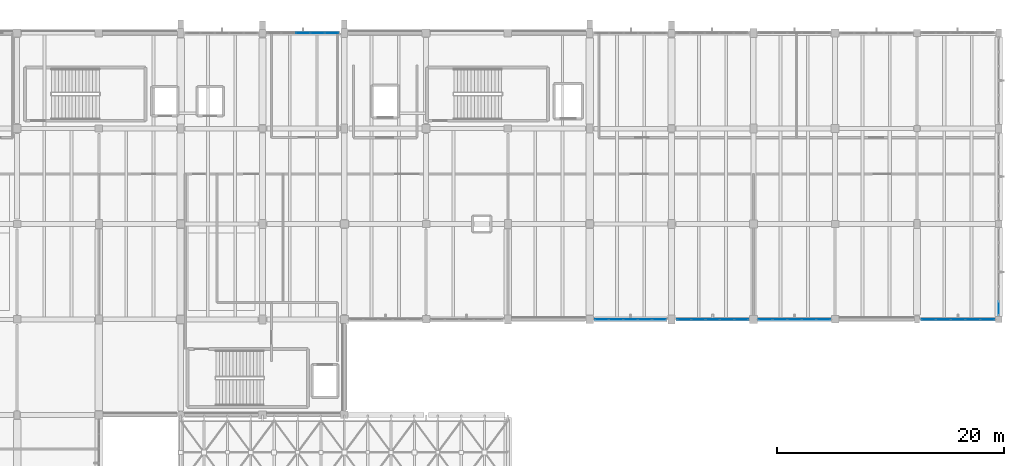
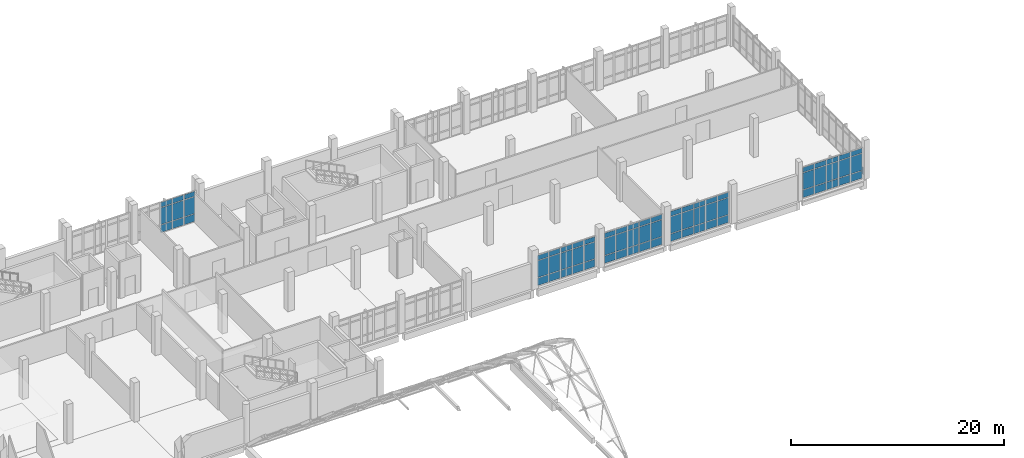
# One storey, part 66 of 87: 70 plates, 6 elements without a shape of their own.
"""IFC4 building model written with IfcOpenShell, lengths in metres."""

from ifc_helpers import new_model, si_unit, direction, frame, origin, origin_2d, place, context, subcontext, project, spatial, rectangle, extrude, material, layer, layer_set, type_object, element, aggregate, save


model = new_model("IFC4")

# Units and contexts
model_context = context("Model", 3, precision=1e-05, world=origin(), true_north=direction((0.0, 1.0)))
body_context = subcontext(model_context, "Body", "Model", "MODEL_VIEW")
ifc_project = project(units=[si_unit("LENGTHUNIT", "METRE"), si_unit("AREAUNIT", "SQUARE_METRE"), si_unit("VOLUMEUNIT", "CUBIC_METRE"), si_unit("PLANEANGLEUNIT", "RADIAN"), si_unit("MASSUNIT", "GRAM", prefix="KILO")], contexts=[model_context])

# Site, building, storey
site_placement = place(None, origin())
site = spatial("IfcSite", under=ifc_project, at=site_placement, CompositionType="ELEMENT")
building_placement = place(site_placement, origin())
building = spatial("IfcBuilding", under=site, at=building_placement, Name="Kalluvel Institute of Natural Sciences", CompositionType="ELEMENT")
storey_placement = place(building_placement, frame((0.0, 0.0, 18.89990234375)))
storey = spatial("IfcBuildingStorey", under=building, at=storey_placement, Name="L04", CompositionType="ELEMENT", Elevation=18.89990234375)

# Curtain wall, plates
ifc_material_1 = material(Name="Aluminium AW-6063 T6", Category="aluminium")
curtain_wall_type = type_object("IfcCurtainWallType", Name="CW-WET-45", PredefinedType="USERDEFINED", material=ifc_material_1)
curtain_wall_1_placement = place(storey_placement, origin())
curtain_wall_1 = element("IfcCurtainWall", 1, at=curtain_wall_1_placement, inside=storey, type_object=curtain_wall_type, Name="L04 Gothic lancet curtain wall CWA-L04-X504-Y1280", ObjectType="UNITISED LANCET FACADE", PredefinedType="USERDEFINED")
ifc_material_2 = material(Name="Solar-Control Low-E Laminated Glass", Category="glass")
ifc_layer = layer(ifc_material_2, 0.031982421875)
ifc_layer_set = layer_set([ifc_layer], Name="Solar-Control Low-E Laminated Glass")
plate_type = type_object("IfcPlateType", Name="CWP-DGU-32", PredefinedType="CURTAIN_PANEL", material=ifc_layer_set)
plate_1_placement = place(storey_placement, frame((53.5625, 128.0, 0.065185546875), z_axis=(0.0, 0.0, 1.0), x_axis=(1.0, 0.0, 0.0)))
plate_1 = element("IfcPlate", 2, at=plate_1_placement, type_object=plate_type, Name="CW-01 panel 3.1", PredefinedType="CURTAIN_PANEL", context=body_context, shape_type="SweptSolid", body=[
    extrude(rectangle(XDim=1.2099609375, YDim=0.031982421875, at=origin_2d()), origin(), (0.0, 0.0, 1.0), 0.8525390625),
])
plate_2_placement = place(storey_placement, frame((53.5625, 128.0, 0.982666015625), z_axis=(0.0, 0.0, 1.0), x_axis=(1.0, 0.0, 0.0)))
plate_2 = element("IfcPlate", 3, at=plate_2_placement, type_object=plate_type, Name="CW-01 panel 3.2", PredefinedType="CURTAIN_PANEL", context=body_context, shape_type="SweptSolid", body=[
    extrude(rectangle(XDim=1.2099609375, YDim=0.031982421875, at=origin_2d()), origin(), (0.0, 0.0, 1.0), 1.9150390625),
])
plate_3_placement = place(storey_placement, frame((53.5625, 128.0, 2.96240234375), z_axis=(0.0, 0.0, 1.0), x_axis=(1.0, 0.0, 0.0)))
plate_3 = element("IfcPlate", 4, at=plate_3_placement, type_object=plate_type, Name="CW-01 panel 3.3", PredefinedType="CURTAIN_PANEL", context=body_context, shape_type="SweptSolid", body=[
    extrude(rectangle(XDim=1.2099609375, YDim=0.031982421875, at=origin_2d()), origin(), (0.0, 0.0, 1.0), 0.552490234375),
])
plate_4_placement = place(storey_placement, frame((54.83740234375, 128.0, 0.065185546875), z_axis=(0.0, 0.0, 1.0), x_axis=(1.0, 0.0, 0.0)))
plate_4 = element("IfcPlate", 5, at=plate_4_placement, type_object=plate_type, Name="CW-01 panel 4.1", PredefinedType="CURTAIN_PANEL", context=body_context, shape_type="SweptSolid", body=[
    extrude(rectangle(XDim=1.2099609375, YDim=0.031982421875, at=origin_2d()), origin(), (0.0, 0.0, 1.0), 0.8525390625),
])
plate_5_placement = place(storey_placement, frame((54.83740234375, 128.0, 0.982666015625), z_axis=(0.0, 0.0, 1.0), x_axis=(1.0, 0.0, 0.0)))
plate_5 = element("IfcPlate", 6, at=plate_5_placement, type_object=plate_type, Name="CW-01 panel 4.2", PredefinedType="CURTAIN_PANEL", context=body_context, shape_type="SweptSolid", body=[
    extrude(rectangle(XDim=1.2099609375, YDim=0.031982421875, at=origin_2d()), origin(), (0.0, 0.0, 1.0), 1.9150390625),
])
plate_6_placement = place(storey_placement, frame((54.83740234375, 128.0, 2.96240234375), z_axis=(0.0, 0.0, 1.0), x_axis=(1.0, 0.0, 0.0)))
plate_6 = element("IfcPlate", 7, at=plate_6_placement, type_object=plate_type, Name="CW-01 panel 4.3", PredefinedType="CURTAIN_PANEL", context=body_context, shape_type="SweptSolid", body=[
    extrude(rectangle(XDim=1.2099609375, YDim=0.031982421875, at=origin_2d()), origin(), (0.0, 0.0, 1.0), 0.552490234375),
])
plate_7_placement = place(storey_placement, frame((56.09619140625, 128.0, 0.065185546875), z_axis=(0.0, 0.0, 1.0), x_axis=(1.0, 0.0, 0.0)))
plate_7 = element("IfcPlate", 8, at=plate_7_placement, type_object=plate_type, Name="CW-01 panel 5.1", PredefinedType="CURTAIN_PANEL", context=body_context, shape_type="SweptSolid", body=[
    extrude(rectangle(XDim=1.177490234375, YDim=0.031982421875, at=origin_2d()), origin(), (0.0, 0.0, 1.0), 0.8525390625),
])
plate_8_placement = place(storey_placement, frame((56.09619140625, 128.0, 0.982666015625), z_axis=(0.0, 0.0, 1.0), x_axis=(1.0, 0.0, 0.0)))
plate_8 = element("IfcPlate", 9, at=plate_8_placement, type_object=plate_type, Name="CW-01 panel 5.2", PredefinedType="CURTAIN_PANEL", context=body_context, shape_type="SweptSolid", body=[
    extrude(rectangle(XDim=1.177490234375, YDim=0.031982421875, at=origin_2d()), origin(), (0.0, 0.0, 1.0), 1.9150390625),
])
plate_9_placement = place(storey_placement, frame((56.09619140625, 128.0, 2.96240234375), z_axis=(0.0, 0.0, 1.0), x_axis=(1.0, 0.0, 0.0)))
plate_9 = element("IfcPlate", 10, at=plate_9_placement, type_object=plate_type, Name="CW-01 panel 5.3", PredefinedType="CURTAIN_PANEL", context=body_context, shape_type="SweptSolid", body=[
    extrude(rectangle(XDim=1.177490234375, YDim=0.031982421875, at=origin_2d()), origin(), (0.0, 0.0, 1.0), 0.552490234375),
])
aggregate(curtain_wall_1, [plate_1, plate_2, plate_3, plate_4, plate_5, plate_6, plate_7, plate_8, plate_9])

curtain_wall_2_placement = place(storey_placement, origin())
curtain_wall_2 = element("IfcCurtainWall", 11, at=curtain_wall_2_placement, inside=storey, type_object=curtain_wall_type, Name="L04 Gothic lancet curtain wall CWA-L04-X792-Y1028", ObjectType="UNITISED LANCET FACADE", PredefinedType="USERDEFINED")
plate_10_placement = place(storey_placement, frame((79.851318359375, 102.800048828125, 0.065185546875), z_axis=(0.0, 0.0, 1.0), x_axis=(1.0, 0.0, 0.0)))
plate_10 = element("IfcPlate", 12, at=plate_10_placement, type_object=plate_type, Name="CW-01 panel 1.1", PredefinedType="CURTAIN_PANEL", context=body_context, shape_type="SweptSolid", body=[
    extrude(rectangle(XDim=1.172607421875, YDim=0.031982421875, at=origin_2d()), origin(), (0.0, 0.0, 1.0), 0.8525390625),
])
plate_11_placement = place(storey_placement, frame((79.851318359375, 102.800048828125, 0.982666015625), z_axis=(0.0, 0.0, 1.0), x_axis=(1.0, 0.0, 0.0)))
plate_11 = element("IfcPlate", 13, at=plate_11_placement, type_object=plate_type, Name="CW-01 panel 1.2", PredefinedType="CURTAIN_PANEL", context=body_context, shape_type="SweptSolid", body=[
    extrude(rectangle(XDim=1.172607421875, YDim=0.031982421875, at=origin_2d()), origin(), (0.0, 0.0, 1.0), 1.9150390625),
])
plate_12_placement = place(storey_placement, frame((79.851318359375, 102.800048828125, 2.96240234375), z_axis=(0.0, 0.0, 1.0), x_axis=(1.0, 0.0, 0.0)))
plate_12 = element("IfcPlate", 14, at=plate_12_placement, type_object=plate_type, Name="CW-01 panel 1.3", PredefinedType="CURTAIN_PANEL", context=body_context, shape_type="SweptSolid", body=[
    extrude(rectangle(XDim=1.172607421875, YDim=0.031982421875, at=origin_2d()), origin(), (0.0, 0.0, 1.0), 0.552490234375),
])
plate_13_placement = place(storey_placement, frame((81.10498046875, 102.800048828125, 0.065185546875), z_axis=(0.0, 0.0, 1.0), x_axis=(1.0, 0.0, 0.0)))
plate_13 = element("IfcPlate", 15, at=plate_13_placement, type_object=plate_type, Name="CW-01 panel 2.1", PredefinedType="CURTAIN_PANEL", context=body_context, shape_type="SweptSolid", body=[
    extrude(rectangle(XDim=1.205078125, YDim=0.031982421875, at=origin_2d()), origin(), (0.0, 0.0, 1.0), 0.8525390625),
])
plate_14_placement = place(storey_placement, frame((81.10498046875, 102.800048828125, 0.982666015625), z_axis=(0.0, 0.0, 1.0), x_axis=(1.0, 0.0, 0.0)))
plate_14 = element("IfcPlate", 16, at=plate_14_placement, type_object=plate_type, Name="CW-01 panel 2.2", PredefinedType="CURTAIN_PANEL", context=body_context, shape_type="SweptSolid", body=[
    extrude(rectangle(XDim=1.205078125, YDim=0.031982421875, at=origin_2d()), origin(), (0.0, 0.0, 1.0), 1.9150390625),
])
plate_15_placement = place(storey_placement, frame((81.10498046875, 102.800048828125, 2.96240234375), z_axis=(0.0, 0.0, 1.0), x_axis=(1.0, 0.0, 0.0)))
plate_15 = element("IfcPlate", 17, at=plate_15_placement, type_object=plate_type, Name="CW-01 panel 2.3", PredefinedType="CURTAIN_PANEL", context=body_context, shape_type="SweptSolid", body=[
    extrude(rectangle(XDim=1.205078125, YDim=0.031982421875, at=origin_2d()), origin(), (0.0, 0.0, 1.0), 0.552490234375),
])
plate_16_placement = place(storey_placement, frame((82.375, 102.800048828125, 0.065185546875), z_axis=(0.0, 0.0, 1.0), x_axis=(1.0, 0.0, 0.0)))
plate_16 = element("IfcPlate", 18, at=plate_16_placement, type_object=plate_type, Name="CW-01 panel 3.1", PredefinedType="CURTAIN_PANEL", context=body_context, shape_type="SweptSolid", body=[
    extrude(rectangle(XDim=1.205078125, YDim=0.031982421875, at=origin_2d()), origin(), (0.0, 0.0, 1.0), 0.8525390625),
])
plate_17_placement = place(storey_placement, frame((82.375, 102.800048828125, 0.982666015625), z_axis=(0.0, 0.0, 1.0), x_axis=(1.0, 0.0, 0.0)))
plate_17 = element("IfcPlate", 19, at=plate_17_placement, type_object=plate_type, Name="CW-01 panel 3.2", PredefinedType="CURTAIN_PANEL", context=body_context, shape_type="SweptSolid", body=[
    extrude(rectangle(XDim=1.205078125, YDim=0.031982421875, at=origin_2d()), origin(), (0.0, 0.0, 1.0), 1.9150390625),
])
plate_18_placement = place(storey_placement, frame((82.375, 102.800048828125, 2.96240234375), z_axis=(0.0, 0.0, 1.0), x_axis=(1.0, 0.0, 0.0)))
plate_18 = element("IfcPlate", 20, at=plate_18_placement, type_object=plate_type, Name="CW-01 panel 3.3", PredefinedType="CURTAIN_PANEL", context=body_context, shape_type="SweptSolid", body=[
    extrude(rectangle(XDim=1.205078125, YDim=0.031982421875, at=origin_2d()), origin(), (0.0, 0.0, 1.0), 0.552490234375),
])
plate_19_placement = place(storey_placement, frame((83.64501953125, 102.800048828125, 0.065185546875), z_axis=(0.0, 0.0, 1.0), x_axis=(1.0, 0.0, 0.0)))
plate_19 = element("IfcPlate", 21, at=plate_19_placement, type_object=plate_type, Name="CW-01 panel 4.1", PredefinedType="CURTAIN_PANEL", context=body_context, shape_type="SweptSolid", body=[
    extrude(rectangle(XDim=1.205078125, YDim=0.031982421875, at=origin_2d()), origin(), (0.0, 0.0, 1.0), 0.8525390625),
])
plate_20_placement = place(storey_placement, frame((83.64501953125, 102.800048828125, 0.982666015625), z_axis=(0.0, 0.0, 1.0), x_axis=(1.0, 0.0, 0.0)))
plate_20 = element("IfcPlate", 22, at=plate_20_placement, type_object=plate_type, Name="CW-01 panel 4.2", PredefinedType="CURTAIN_PANEL", context=body_context, shape_type="SweptSolid", body=[
    extrude(rectangle(XDim=1.205078125, YDim=0.031982421875, at=origin_2d()), origin(), (0.0, 0.0, 1.0), 1.9150390625),
])
plate_21_placement = place(storey_placement, frame((83.64501953125, 102.800048828125, 2.96240234375), z_axis=(0.0, 0.0, 1.0), x_axis=(1.0, 0.0, 0.0)))
plate_21 = element("IfcPlate", 23, at=plate_21_placement, type_object=plate_type, Name="CW-01 panel 4.3", PredefinedType="CURTAIN_PANEL", context=body_context, shape_type="SweptSolid", body=[
    extrude(rectangle(XDim=1.205078125, YDim=0.031982421875, at=origin_2d()), origin(), (0.0, 0.0, 1.0), 0.552490234375),
])
plate_22_placement = place(storey_placement, frame((84.898681640625, 102.800048828125, 0.065185546875), z_axis=(0.0, 0.0, 1.0), x_axis=(1.0, 0.0, 0.0)))
plate_22 = element("IfcPlate", 24, at=plate_22_placement, type_object=plate_type, Name="CW-01 panel 5.1", PredefinedType="CURTAIN_PANEL", context=body_context, shape_type="SweptSolid", body=[
    extrude(rectangle(XDim=1.172607421875, YDim=0.031982421875, at=origin_2d()), origin(), (0.0, 0.0, 1.0), 0.8525390625),
])
plate_23_placement = place(storey_placement, frame((84.898681640625, 102.800048828125, 0.982666015625), z_axis=(0.0, 0.0, 1.0), x_axis=(1.0, 0.0, 0.0)))
plate_23 = element("IfcPlate", 25, at=plate_23_placement, type_object=plate_type, Name="CW-01 panel 5.2", PredefinedType="CURTAIN_PANEL", context=body_context, shape_type="SweptSolid", body=[
    extrude(rectangle(XDim=1.172607421875, YDim=0.031982421875, at=origin_2d()), origin(), (0.0, 0.0, 1.0), 1.9150390625),
])
plate_24_placement = place(storey_placement, frame((84.898681640625, 102.800048828125, 2.96240234375), z_axis=(0.0, 0.0, 1.0), x_axis=(1.0, 0.0, 0.0)))
plate_24 = element("IfcPlate", 26, at=plate_24_placement, type_object=plate_type, Name="CW-01 panel 5.3", PredefinedType="CURTAIN_PANEL", context=body_context, shape_type="SweptSolid", body=[
    extrude(rectangle(XDim=1.172607421875, YDim=0.031982421875, at=origin_2d()), origin(), (0.0, 0.0, 1.0), 0.552490234375),
])
aggregate(curtain_wall_2, [plate_10, plate_11, plate_12, plate_13, plate_14, plate_15, plate_16, plate_17, plate_18, plate_19, plate_20, plate_21, plate_22, plate_23, plate_24])

curtain_wall_3_placement = place(storey_placement, origin())
curtain_wall_3 = element("IfcCurtainWall", 27, at=curtain_wall_3_placement, inside=storey, type_object=curtain_wall_type, Name="L04 Gothic lancet curtain wall CWA-L04-X864-Y1028", ObjectType="UNITISED LANCET FACADE", PredefinedType="USERDEFINED")
plate_25_placement = place(storey_placement, frame((87.101318359375, 102.800048828125, 0.065185546875), z_axis=(0.0, 0.0, 1.0), x_axis=(1.0, 0.0, 0.0)))
plate_25 = element("IfcPlate", 28, at=plate_25_placement, type_object=plate_type, Name="CW-01 panel 1.1", PredefinedType="CURTAIN_PANEL", context=body_context, shape_type="SweptSolid", body=[
    extrude(rectangle(XDim=1.172607421875, YDim=0.031982421875, at=origin_2d()), origin(), (0.0, 0.0, 1.0), 0.8525390625),
])
plate_26_placement = place(storey_placement, frame((87.101318359375, 102.800048828125, 0.982666015625), z_axis=(0.0, 0.0, 1.0), x_axis=(1.0, 0.0, 0.0)))
plate_26 = element("IfcPlate", 29, at=plate_26_placement, type_object=plate_type, Name="CW-01 panel 1.2", PredefinedType="CURTAIN_PANEL", context=body_context, shape_type="SweptSolid", body=[
    extrude(rectangle(XDim=1.172607421875, YDim=0.031982421875, at=origin_2d()), origin(), (0.0, 0.0, 1.0), 1.9150390625),
])
plate_27_placement = place(storey_placement, frame((87.101318359375, 102.800048828125, 2.96240234375), z_axis=(0.0, 0.0, 1.0), x_axis=(1.0, 0.0, 0.0)))
plate_27 = element("IfcPlate", 30, at=plate_27_placement, type_object=plate_type, Name="CW-01 panel 1.3", PredefinedType="CURTAIN_PANEL", context=body_context, shape_type="SweptSolid", body=[
    extrude(rectangle(XDim=1.172607421875, YDim=0.031982421875, at=origin_2d()), origin(), (0.0, 0.0, 1.0), 0.552490234375),
])
plate_28_placement = place(storey_placement, frame((88.35498046875, 102.800048828125, 0.065185546875), z_axis=(0.0, 0.0, 1.0), x_axis=(1.0, 0.0, 0.0)))
plate_28 = element("IfcPlate", 31, at=plate_28_placement, type_object=plate_type, Name="CW-01 panel 2.1", PredefinedType="CURTAIN_PANEL", context=body_context, shape_type="SweptSolid", body=[
    extrude(rectangle(XDim=1.205078125, YDim=0.031982421875, at=origin_2d()), origin(), (0.0, 0.0, 1.0), 0.8525390625),
])
plate_29_placement = place(storey_placement, frame((88.35498046875, 102.800048828125, 0.982666015625), z_axis=(0.0, 0.0, 1.0), x_axis=(1.0, 0.0, 0.0)))
plate_29 = element("IfcPlate", 32, at=plate_29_placement, type_object=plate_type, Name="CW-01 panel 2.2", PredefinedType="CURTAIN_PANEL", context=body_context, shape_type="SweptSolid", body=[
    extrude(rectangle(XDim=1.205078125, YDim=0.031982421875, at=origin_2d()), origin(), (0.0, 0.0, 1.0), 1.9150390625),
])
plate_30_placement = place(storey_placement, frame((88.35498046875, 102.800048828125, 2.96240234375), z_axis=(0.0, 0.0, 1.0), x_axis=(1.0, 0.0, 0.0)))
plate_30 = element("IfcPlate", 33, at=plate_30_placement, type_object=plate_type, Name="CW-01 panel 2.3", PredefinedType="CURTAIN_PANEL", context=body_context, shape_type="SweptSolid", body=[
    extrude(rectangle(XDim=1.205078125, YDim=0.031982421875, at=origin_2d()), origin(), (0.0, 0.0, 1.0), 0.552490234375),
])
plate_31_placement = place(storey_placement, frame((89.625, 102.800048828125, 0.065185546875), z_axis=(0.0, 0.0, 1.0), x_axis=(1.0, 0.0, 0.0)))
plate_31 = element("IfcPlate", 34, at=plate_31_placement, type_object=plate_type, Name="CW-01 panel 3.1", PredefinedType="CURTAIN_PANEL", context=body_context, shape_type="SweptSolid", body=[
    extrude(rectangle(XDim=1.205078125, YDim=0.031982421875, at=origin_2d()), origin(), (0.0, 0.0, 1.0), 0.8525390625),
])
plate_32_placement = place(storey_placement, frame((89.625, 102.800048828125, 0.982666015625), z_axis=(0.0, 0.0, 1.0), x_axis=(1.0, 0.0, 0.0)))
plate_32 = element("IfcPlate", 35, at=plate_32_placement, type_object=plate_type, Name="CW-01 panel 3.2", PredefinedType="CURTAIN_PANEL", context=body_context, shape_type="SweptSolid", body=[
    extrude(rectangle(XDim=1.205078125, YDim=0.031982421875, at=origin_2d()), origin(), (0.0, 0.0, 1.0), 1.9150390625),
])
plate_33_placement = place(storey_placement, frame((89.625, 102.800048828125, 2.96240234375), z_axis=(0.0, 0.0, 1.0), x_axis=(1.0, 0.0, 0.0)))
plate_33 = element("IfcPlate", 36, at=plate_33_placement, type_object=plate_type, Name="CW-01 panel 3.3", PredefinedType="CURTAIN_PANEL", context=body_context, shape_type="SweptSolid", body=[
    extrude(rectangle(XDim=1.205078125, YDim=0.031982421875, at=origin_2d()), origin(), (0.0, 0.0, 1.0), 0.552490234375),
])
plate_34_placement = place(storey_placement, frame((90.89501953125, 102.800048828125, 0.065185546875), z_axis=(0.0, 0.0, 1.0), x_axis=(1.0, 0.0, 0.0)))
plate_34 = element("IfcPlate", 37, at=plate_34_placement, type_object=plate_type, Name="CW-01 panel 4.1", PredefinedType="CURTAIN_PANEL", context=body_context, shape_type="SweptSolid", body=[
    extrude(rectangle(XDim=1.205078125, YDim=0.031982421875, at=origin_2d()), origin(), (0.0, 0.0, 1.0), 0.8525390625),
])
plate_35_placement = place(storey_placement, frame((90.89501953125, 102.800048828125, 0.982666015625), z_axis=(0.0, 0.0, 1.0), x_axis=(1.0, 0.0, 0.0)))
plate_35 = element("IfcPlate", 38, at=plate_35_placement, type_object=plate_type, Name="CW-01 panel 4.2", PredefinedType="CURTAIN_PANEL", context=body_context, shape_type="SweptSolid", body=[
    extrude(rectangle(XDim=1.205078125, YDim=0.031982421875, at=origin_2d()), origin(), (0.0, 0.0, 1.0), 1.9150390625),
])
plate_36_placement = place(storey_placement, frame((90.89501953125, 102.800048828125, 2.96240234375), z_axis=(0.0, 0.0, 1.0), x_axis=(1.0, 0.0, 0.0)))
plate_36 = element("IfcPlate", 39, at=plate_36_placement, type_object=plate_type, Name="CW-01 panel 4.3", PredefinedType="CURTAIN_PANEL", context=body_context, shape_type="SweptSolid", body=[
    extrude(rectangle(XDim=1.205078125, YDim=0.031982421875, at=origin_2d()), origin(), (0.0, 0.0, 1.0), 0.552490234375),
])
plate_37_placement = place(storey_placement, frame((92.148681640625, 102.800048828125, 0.065185546875), z_axis=(0.0, 0.0, 1.0), x_axis=(1.0, 0.0, 0.0)))
plate_37 = element("IfcPlate", 40, at=plate_37_placement, type_object=plate_type, Name="CW-01 panel 5.1", PredefinedType="CURTAIN_PANEL", context=body_context, shape_type="SweptSolid", body=[
    extrude(rectangle(XDim=1.172607421875, YDim=0.031982421875, at=origin_2d()), origin(), (0.0, 0.0, 1.0), 0.8525390625),
])
plate_38_placement = place(storey_placement, frame((92.148681640625, 102.800048828125, 0.982666015625), z_axis=(0.0, 0.0, 1.0), x_axis=(1.0, 0.0, 0.0)))
plate_38 = element("IfcPlate", 41, at=plate_38_placement, type_object=plate_type, Name="CW-01 panel 5.2", PredefinedType="CURTAIN_PANEL", context=body_context, shape_type="SweptSolid", body=[
    extrude(rectangle(XDim=1.172607421875, YDim=0.031982421875, at=origin_2d()), origin(), (0.0, 0.0, 1.0), 1.9150390625),
])
plate_39_placement = place(storey_placement, frame((92.148681640625, 102.800048828125, 2.96240234375), z_axis=(0.0, 0.0, 1.0), x_axis=(1.0, 0.0, 0.0)))
plate_39 = element("IfcPlate", 42, at=plate_39_placement, type_object=plate_type, Name="CW-01 panel 5.3", PredefinedType="CURTAIN_PANEL", context=body_context, shape_type="SweptSolid", body=[
    extrude(rectangle(XDim=1.172607421875, YDim=0.031982421875, at=origin_2d()), origin(), (0.0, 0.0, 1.0), 0.552490234375),
])
aggregate(curtain_wall_3, [plate_25, plate_26, plate_27, plate_28, plate_29, plate_30, plate_31, plate_32, plate_33, plate_34, plate_35, plate_36, plate_37, plate_38, plate_39])

curtain_wall_4_placement = place(storey_placement, origin())
curtain_wall_4 = element("IfcCurtainWall", 43, at=curtain_wall_4_placement, inside=storey, type_object=curtain_wall_type, Name="L04 Gothic lancet curtain wall CWA-L04-X936-Y1028", ObjectType="UNITISED LANCET FACADE", PredefinedType="USERDEFINED")
plate_40_placement = place(storey_placement, frame((94.2587890625, 102.800048828125, 0.065185546875), z_axis=(0.0, 0.0, 1.0), x_axis=(1.0, 0.0, 0.0)))
plate_40 = element("IfcPlate", 44, at=plate_40_placement, type_object=plate_type, Name="CW-01 panel 1.1", PredefinedType="CURTAIN_PANEL", context=body_context, shape_type="SweptSolid", body=[
    extrude(rectangle(XDim=1.1875, YDim=0.031982421875, at=origin_2d()), origin(), (0.0, 0.0, 1.0), 0.8525390625),
])
plate_41_placement = place(storey_placement, frame((94.2587890625, 102.800048828125, 0.982666015625), z_axis=(0.0, 0.0, 1.0), x_axis=(1.0, 0.0, 0.0)))
plate_41 = element("IfcPlate", 45, at=plate_41_placement, type_object=plate_type, Name="CW-01 panel 1.2", PredefinedType="CURTAIN_PANEL", context=body_context, shape_type="SweptSolid", body=[
    extrude(rectangle(XDim=1.1875, YDim=0.031982421875, at=origin_2d()), origin(), (0.0, 0.0, 1.0), 1.9150390625),
])
plate_42_placement = place(storey_placement, frame((94.2587890625, 102.800048828125, 2.96240234375), z_axis=(0.0, 0.0, 1.0), x_axis=(1.0, 0.0, 0.0)))
plate_42 = element("IfcPlate", 46, at=plate_42_placement, type_object=plate_type, Name="CW-01 panel 1.3", PredefinedType="CURTAIN_PANEL", context=body_context, shape_type="SweptSolid", body=[
    extrude(rectangle(XDim=1.1875, YDim=0.031982421875, at=origin_2d()), origin(), (0.0, 0.0, 1.0), 0.552490234375),
])
plate_43_placement = place(storey_placement, frame((95.527587890625, 102.800048828125, 0.065185546875), z_axis=(0.0, 0.0, 1.0), x_axis=(1.0, 0.0, 0.0)))
plate_43 = element("IfcPlate", 47, at=plate_43_placement, type_object=plate_type, Name="CW-01 panel 2.1", PredefinedType="CURTAIN_PANEL", context=body_context, shape_type="SweptSolid", body=[
    extrude(rectangle(XDim=1.219970703125, YDim=0.031982421875, at=origin_2d()), origin(), (0.0, 0.0, 1.0), 0.8525390625),
])
plate_44_placement = place(storey_placement, frame((95.527587890625, 102.800048828125, 0.982666015625), z_axis=(0.0, 0.0, 1.0), x_axis=(1.0, 0.0, 0.0)))
plate_44 = element("IfcPlate", 48, at=plate_44_placement, type_object=plate_type, Name="CW-01 panel 2.2", PredefinedType="CURTAIN_PANEL", context=body_context, shape_type="SweptSolid", body=[
    extrude(rectangle(XDim=1.219970703125, YDim=0.031982421875, at=origin_2d()), origin(), (0.0, 0.0, 1.0), 1.9150390625),
])
plate_45_placement = place(storey_placement, frame((95.527587890625, 102.800048828125, 2.96240234375), z_axis=(0.0, 0.0, 1.0), x_axis=(1.0, 0.0, 0.0)))
plate_45 = element("IfcPlate", 49, at=plate_45_placement, type_object=plate_type, Name="CW-01 panel 2.3", PredefinedType="CURTAIN_PANEL", context=body_context, shape_type="SweptSolid", body=[
    extrude(rectangle(XDim=1.219970703125, YDim=0.031982421875, at=origin_2d()), origin(), (0.0, 0.0, 1.0), 0.552490234375),
])
plate_46_placement = place(storey_placement, frame((96.8125, 102.800048828125, 0.065185546875), z_axis=(0.0, 0.0, 1.0), x_axis=(1.0, 0.0, 0.0)))
plate_46 = element("IfcPlate", 50, at=plate_46_placement, type_object=plate_type, Name="CW-01 panel 3.1", PredefinedType="CURTAIN_PANEL", context=body_context, shape_type="SweptSolid", body=[
    extrude(rectangle(XDim=1.219970703125, YDim=0.031982421875, at=origin_2d()), origin(), (0.0, 0.0, 1.0), 0.8525390625),
])
plate_47_placement = place(storey_placement, frame((96.8125, 102.800048828125, 0.982666015625), z_axis=(0.0, 0.0, 1.0), x_axis=(1.0, 0.0, 0.0)))
plate_47 = element("IfcPlate", 51, at=plate_47_placement, type_object=plate_type, Name="CW-01 panel 3.2", PredefinedType="CURTAIN_PANEL", context=body_context, shape_type="SweptSolid", body=[
    extrude(rectangle(XDim=1.219970703125, YDim=0.031982421875, at=origin_2d()), origin(), (0.0, 0.0, 1.0), 1.9150390625),
])
plate_48_placement = place(storey_placement, frame((96.8125, 102.800048828125, 2.96240234375), z_axis=(0.0, 0.0, 1.0), x_axis=(1.0, 0.0, 0.0)))
plate_48 = element("IfcPlate", 52, at=plate_48_placement, type_object=plate_type, Name="CW-01 panel 3.3", PredefinedType="CURTAIN_PANEL", context=body_context, shape_type="SweptSolid", body=[
    extrude(rectangle(XDim=1.219970703125, YDim=0.031982421875, at=origin_2d()), origin(), (0.0, 0.0, 1.0), 0.552490234375),
])
plate_49_placement = place(storey_placement, frame((98.097412109375, 102.800048828125, 0.065185546875), z_axis=(0.0, 0.0, 1.0), x_axis=(1.0, 0.0, 0.0)))
plate_49 = element("IfcPlate", 53, at=plate_49_placement, type_object=plate_type, Name="CW-01 panel 4.1", PredefinedType="CURTAIN_PANEL", context=body_context, shape_type="SweptSolid", body=[
    extrude(rectangle(XDim=1.219970703125, YDim=0.031982421875, at=origin_2d()), origin(), (0.0, 0.0, 1.0), 0.8525390625),
])
plate_50_placement = place(storey_placement, frame((98.097412109375, 102.800048828125, 0.982666015625), z_axis=(0.0, 0.0, 1.0), x_axis=(1.0, 0.0, 0.0)))
plate_50 = element("IfcPlate", 54, at=plate_50_placement, type_object=plate_type, Name="CW-01 panel 4.2", PredefinedType="CURTAIN_PANEL", context=body_context, shape_type="SweptSolid", body=[
    extrude(rectangle(XDim=1.219970703125, YDim=0.031982421875, at=origin_2d()), origin(), (0.0, 0.0, 1.0), 1.9150390625),
])
plate_51_placement = place(storey_placement, frame((98.097412109375, 102.800048828125, 2.96240234375), z_axis=(0.0, 0.0, 1.0), x_axis=(1.0, 0.0, 0.0)))
plate_51 = element("IfcPlate", 55, at=plate_51_placement, type_object=plate_type, Name="CW-01 panel 4.3", PredefinedType="CURTAIN_PANEL", context=body_context, shape_type="SweptSolid", body=[
    extrude(rectangle(XDim=1.219970703125, YDim=0.031982421875, at=origin_2d()), origin(), (0.0, 0.0, 1.0), 0.552490234375),
])
plate_52_placement = place(storey_placement, frame((99.3662109375, 102.800048828125, 0.065185546875), z_axis=(0.0, 0.0, 1.0), x_axis=(1.0, 0.0, 0.0)))
plate_52 = element("IfcPlate", 56, at=plate_52_placement, type_object=plate_type, Name="CW-01 panel 5.1", PredefinedType="CURTAIN_PANEL", context=body_context, shape_type="SweptSolid", body=[
    extrude(rectangle(XDim=1.1875, YDim=0.031982421875, at=origin_2d()), origin(), (0.0, 0.0, 1.0), 0.8525390625),
])
plate_53_placement = place(storey_placement, frame((99.3662109375, 102.800048828125, 0.982666015625), z_axis=(0.0, 0.0, 1.0), x_axis=(1.0, 0.0, 0.0)))
plate_53 = element("IfcPlate", 57, at=plate_53_placement, type_object=plate_type, Name="CW-01 panel 5.2", PredefinedType="CURTAIN_PANEL", context=body_context, shape_type="SweptSolid", body=[
    extrude(rectangle(XDim=1.1875, YDim=0.031982421875, at=origin_2d()), origin(), (0.0, 0.0, 1.0), 1.9150390625),
])
plate_54_placement = place(storey_placement, frame((99.3662109375, 102.800048828125, 2.96240234375), z_axis=(0.0, 0.0, 1.0), x_axis=(1.0, 0.0, 0.0)))
plate_54 = element("IfcPlate", 58, at=plate_54_placement, type_object=plate_type, Name="CW-01 panel 5.3", PredefinedType="CURTAIN_PANEL", context=body_context, shape_type="SweptSolid", body=[
    extrude(rectangle(XDim=1.1875, YDim=0.031982421875, at=origin_2d()), origin(), (0.0, 0.0, 1.0), 0.552490234375),
])
aggregate(curtain_wall_4, [plate_40, plate_41, plate_42, plate_43, plate_44, plate_45, plate_46, plate_47, plate_48, plate_49, plate_50, plate_51, plate_52, plate_53, plate_54])

curtain_wall_5_placement = place(storey_placement, origin())
curtain_wall_5 = element("IfcCurtainWall", 59, at=curtain_wall_5_placement, inside=storey, type_object=curtain_wall_type, Name="L04 Gothic lancet curtain wall CWA-L04-X1080-Y1028", ObjectType="UNITISED LANCET FACADE", PredefinedType="USERDEFINED")
plate_55_placement = place(storey_placement, frame((108.61865234375, 102.800048828125, 0.065185546875), z_axis=(0.0, 0.0, 1.0), x_axis=(1.0, 0.0, 0.0)))
plate_55 = element("IfcPlate", 60, at=plate_55_placement, type_object=plate_type, Name="CW-01 panel 1.1", PredefinedType="CURTAIN_PANEL", context=body_context, shape_type="SweptSolid", body=[
    extrude(rectangle(XDim=1.20751953125, YDim=0.031982421875, at=origin_2d()), origin(), (0.0, 0.0, 1.0), 0.8525390625),
])
plate_56_placement = place(storey_placement, frame((108.61865234375, 102.800048828125, 0.982666015625), z_axis=(0.0, 0.0, 1.0), x_axis=(1.0, 0.0, 0.0)))
plate_56 = element("IfcPlate", 61, at=plate_56_placement, type_object=plate_type, Name="CW-01 panel 1.2", PredefinedType="CURTAIN_PANEL", context=body_context, shape_type="SweptSolid", body=[
    extrude(rectangle(XDim=1.20751953125, YDim=0.031982421875, at=origin_2d()), origin(), (0.0, 0.0, 1.0), 1.9150390625),
])
plate_57_placement = place(storey_placement, frame((108.61865234375, 102.800048828125, 2.96240234375), z_axis=(0.0, 0.0, 1.0), x_axis=(1.0, 0.0, 0.0)))
plate_57 = element("IfcPlate", 62, at=plate_57_placement, type_object=plate_type, Name="CW-01 panel 1.3", PredefinedType="CURTAIN_PANEL", context=body_context, shape_type="SweptSolid", body=[
    extrude(rectangle(XDim=1.20751953125, YDim=0.031982421875, at=origin_2d()), origin(), (0.0, 0.0, 1.0), 0.552490234375),
])
plate_58_placement = place(storey_placement, frame((109.907470703125, 102.800048828125, 0.065185546875), z_axis=(0.0, 0.0, 1.0), x_axis=(1.0, 0.0, 0.0)))
plate_58 = element("IfcPlate", 63, at=plate_58_placement, type_object=plate_type, Name="CW-01 panel 2.1", PredefinedType="CURTAIN_PANEL", context=body_context, shape_type="SweptSolid", body=[
    extrude(rectangle(XDim=1.239990234375, YDim=0.031982421875, at=origin_2d()), origin(), (0.0, 0.0, 1.0), 0.8525390625),
])
plate_59_placement = place(storey_placement, frame((109.907470703125, 102.800048828125, 0.982666015625), z_axis=(0.0, 0.0, 1.0), x_axis=(1.0, 0.0, 0.0)))
plate_59 = element("IfcPlate", 64, at=plate_59_placement, type_object=plate_type, Name="CW-01 panel 2.2", PredefinedType="CURTAIN_PANEL", context=body_context, shape_type="SweptSolid", body=[
    extrude(rectangle(XDim=1.239990234375, YDim=0.031982421875, at=origin_2d()), origin(), (0.0, 0.0, 1.0), 1.9150390625),
])
plate_60_placement = place(storey_placement, frame((109.907470703125, 102.800048828125, 2.96240234375), z_axis=(0.0, 0.0, 1.0), x_axis=(1.0, 0.0, 0.0)))
plate_60 = element("IfcPlate", 65, at=plate_60_placement, type_object=plate_type, Name="CW-01 panel 2.3", PredefinedType="CURTAIN_PANEL", context=body_context, shape_type="SweptSolid", body=[
    extrude(rectangle(XDim=1.239990234375, YDim=0.031982421875, at=origin_2d()), origin(), (0.0, 0.0, 1.0), 0.552490234375),
])
plate_61_placement = place(storey_placement, frame((111.21240234375, 102.800048828125, 0.065185546875), z_axis=(0.0, 0.0, 1.0), x_axis=(1.0, 0.0, 0.0)))
plate_61 = element("IfcPlate", 66, at=plate_61_placement, type_object=plate_type, Name="CW-01 panel 3.1", PredefinedType="CURTAIN_PANEL", context=body_context, shape_type="SweptSolid", body=[
    extrude(rectangle(XDim=1.239990234375, YDim=0.031982421875, at=origin_2d()), origin(), (0.0, 0.0, 1.0), 0.8525390625),
])
plate_62_placement = place(storey_placement, frame((111.21240234375, 102.800048828125, 0.982666015625), z_axis=(0.0, 0.0, 1.0), x_axis=(1.0, 0.0, 0.0)))
plate_62 = element("IfcPlate", 67, at=plate_62_placement, type_object=plate_type, Name="CW-01 panel 3.2", PredefinedType="CURTAIN_PANEL", context=body_context, shape_type="SweptSolid", body=[
    extrude(rectangle(XDim=1.239990234375, YDim=0.031982421875, at=origin_2d()), origin(), (0.0, 0.0, 1.0), 1.9150390625),
])
plate_63_placement = place(storey_placement, frame((111.21240234375, 102.800048828125, 2.96240234375), z_axis=(0.0, 0.0, 1.0), x_axis=(1.0, 0.0, 0.0)))
plate_63 = element("IfcPlate", 68, at=plate_63_placement, type_object=plate_type, Name="CW-01 panel 3.3", PredefinedType="CURTAIN_PANEL", context=body_context, shape_type="SweptSolid", body=[
    extrude(rectangle(XDim=1.239990234375, YDim=0.031982421875, at=origin_2d()), origin(), (0.0, 0.0, 1.0), 0.552490234375),
])
plate_64_placement = place(storey_placement, frame((112.517578125, 102.800048828125, 0.065185546875), z_axis=(0.0, 0.0, 1.0), x_axis=(1.0, 0.0, 0.0)))
plate_64 = element("IfcPlate", 69, at=plate_64_placement, type_object=plate_type, Name="CW-01 panel 4.1", PredefinedType="CURTAIN_PANEL", context=body_context, shape_type="SweptSolid", body=[
    extrude(rectangle(XDim=1.239990234375, YDim=0.031982421875, at=origin_2d()), origin(), (0.0, 0.0, 1.0), 0.8525390625),
])
plate_65_placement = place(storey_placement, frame((112.517578125, 102.800048828125, 0.982666015625), z_axis=(0.0, 0.0, 1.0), x_axis=(1.0, 0.0, 0.0)))
plate_65 = element("IfcPlate", 70, at=plate_65_placement, type_object=plate_type, Name="CW-01 panel 4.2", PredefinedType="CURTAIN_PANEL", context=body_context, shape_type="SweptSolid", body=[
    extrude(rectangle(XDim=1.239990234375, YDim=0.031982421875, at=origin_2d()), origin(), (0.0, 0.0, 1.0), 1.9150390625),
])
plate_66_placement = place(storey_placement, frame((112.517578125, 102.800048828125, 2.96240234375), z_axis=(0.0, 0.0, 1.0), x_axis=(1.0, 0.0, 0.0)))
plate_66 = element("IfcPlate", 71, at=plate_66_placement, type_object=plate_type, Name="CW-01 panel 4.3", PredefinedType="CURTAIN_PANEL", context=body_context, shape_type="SweptSolid", body=[
    extrude(rectangle(XDim=1.239990234375, YDim=0.031982421875, at=origin_2d()), origin(), (0.0, 0.0, 1.0), 0.552490234375),
])
plate_67_placement = place(storey_placement, frame((113.80615234375, 102.800048828125, 0.065185546875), z_axis=(0.0, 0.0, 1.0), x_axis=(1.0, 0.0, 0.0)))
plate_67 = element("IfcPlate", 72, at=plate_67_placement, type_object=plate_type, Name="CW-01 panel 5.1", PredefinedType="CURTAIN_PANEL", context=body_context, shape_type="SweptSolid", body=[
    extrude(rectangle(XDim=1.20751953125, YDim=0.031982421875, at=origin_2d()), origin(), (0.0, 0.0, 1.0), 0.8525390625),
])
plate_68_placement = place(storey_placement, frame((113.80615234375, 102.800048828125, 0.982666015625), z_axis=(0.0, 0.0, 1.0), x_axis=(1.0, 0.0, 0.0)))
plate_68 = element("IfcPlate", 73, at=plate_68_placement, type_object=plate_type, Name="CW-01 panel 5.2", PredefinedType="CURTAIN_PANEL", context=body_context, shape_type="SweptSolid", body=[
    extrude(rectangle(XDim=1.20751953125, YDim=0.031982421875, at=origin_2d()), origin(), (0.0, 0.0, 1.0), 1.9150390625),
])
plate_69_placement = place(storey_placement, frame((113.80615234375, 102.800048828125, 2.96240234375), z_axis=(0.0, 0.0, 1.0), x_axis=(1.0, 0.0, 0.0)))
plate_69 = element("IfcPlate", 74, at=plate_69_placement, type_object=plate_type, Name="CW-01 panel 5.3", PredefinedType="CURTAIN_PANEL", context=body_context, shape_type="SweptSolid", body=[
    extrude(rectangle(XDim=1.20751953125, YDim=0.031982421875, at=origin_2d()), origin(), (0.0, 0.0, 1.0), 0.552490234375),
])
aggregate(curtain_wall_5, [plate_55, plate_56, plate_57, plate_58, plate_59, plate_60, plate_61, plate_62, plate_63, plate_64, plate_65, plate_66, plate_67, plate_68, plate_69])

# Curtain wall, plate
curtain_wall_6_placement = place(storey_placement, origin())
curtain_wall_6 = element("IfcCurtainWall", 75, at=curtain_wall_6_placement, inside=storey, type_object=curtain_wall_type, Name="L04 Gothic lancet curtain wall CWA-L04-X1148-Y1031", ObjectType="UNITISED LANCET FACADE", PredefinedType="USERDEFINED")
plate_70_placement = place(storey_placement, frame((114.800048828125, 103.784912109375, 0.065185546875), z_axis=(0.0, 0.0, 1.0), x_axis=(0.0, 1.0, 0.0)))
plate_70 = element("IfcPlate", 76, at=plate_70_placement, type_object=plate_type, Name="CW-01 panel 1.1", PredefinedType="CURTAIN_PANEL", context=body_context, shape_type="SweptSolid", body=[
    extrude(rectangle(XDim=1.18994140625, YDim=0.031982421875, at=origin_2d()), origin(), (0.0, 0.0, 1.0), 0.8525390625),
])
aggregate(curtain_wall_6, [plate_70])

save(model, "model.ifc")
